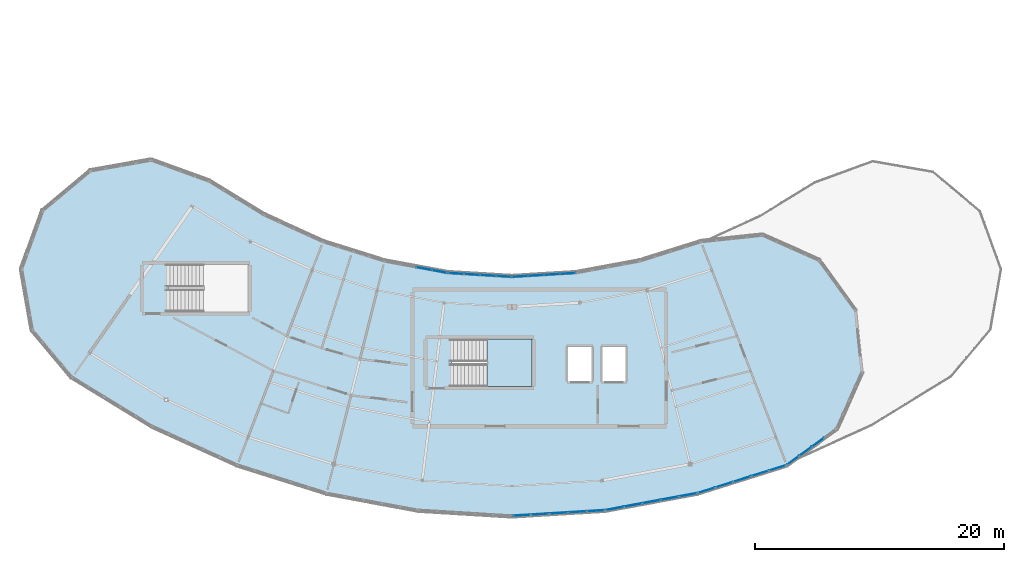
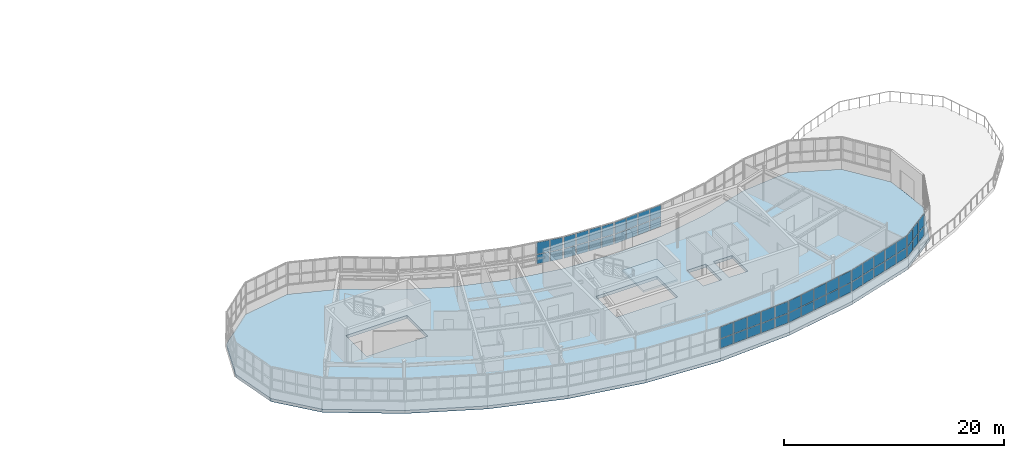
# One storey, part 38 of 65: 56 plates, 2 slabs, 8 elements without a shape of their own.
"""IFC4 building model written with IfcOpenShell, lengths in metres."""

from ifc_helpers import new_model, si_unit, direction, frame, origin, origin_2d, place, context, subcontext, project, spatial, polyline, rectangle, outline, extrude, material, layer, layer_set, type_object, element, aggregate, save


model = new_model("IFC4")

# Units and contexts
model_context = context("Model", 3, precision=1e-05, world=origin(), true_north=direction((0.0, 1.0)))
body_context = subcontext(model_context, "Body", "Model", "MODEL_VIEW")
ifc_project = project(units=[si_unit("LENGTHUNIT", "METRE"), si_unit("AREAUNIT", "SQUARE_METRE"), si_unit("VOLUMEUNIT", "CUBIC_METRE"), si_unit("PLANEANGLEUNIT", "RADIAN"), si_unit("MASSUNIT", "GRAM", prefix="KILO")], contexts=[model_context])

# Site, building, storey
site_placement = place(None, origin())
site = spatial("IfcSite", under=ifc_project, at=site_placement, CompositionType="ELEMENT")
building_placement = place(site_placement, origin())
building = spatial("IfcBuilding", under=site, at=building_placement, Name="Tarnwether General Hospital", CompositionType="ELEMENT")
storey_placement = place(building_placement, frame((0.0, 0.0, 22.199951171875)))
storey = spatial("IfcBuildingStorey", under=building, at=storey_placement, Name="L05", CompositionType="ELEMENT", Elevation=22.199951171875)

# Curtain wall, plates
ifc_material_1 = material(Name="Anodised aluminium", Category="aluminium")
ifc_layer_1 = layer(ifc_material_1, 0.159912109375)
ifc_layer_set_1 = layer_set([ifc_layer_1], Name="Anodised aluminium")
curtain_wall_type_1 = type_object("IfcCurtainWallType", Name="CW-10", PredefinedType="NOTDEFINED", material=ifc_layer_set_1)
curtain_wall_1_placement = place(storey_placement, origin())
curtain_wall_1 = element("IfcCurtainWall", 1, at=curtain_wall_1_placement, inside=storey, type_object=curtain_wall_type_1, Name="Curtain Wall CWG-L05-995_19-0223", PredefinedType="NOTDEFINED")
ifc_material_2 = material(Name="Double glazed low-E glass", Category="glass")
ifc_layer_2 = layer(ifc_material_2, 0.028076171875)
ifc_layer_set_2 = layer_set([ifc_layer_2], Name="Double glazed low-E glass")
plate_type_1 = type_object("IfcPlateType", Name="PT-CWP1", PredefinedType="CURTAIN_PANEL", material=ifc_layer_set_2)
plate_1_placement = place(storey_placement, frame((98.73876953125, 1.81201171875, 1.1201171875), z_axis=(0.0, 0.0, 1.0), x_axis=(-0.998135995608, -0.061028962567, 0.0)))
plate_1 = element("IfcPlate", 2, at=plate_1_placement, type_object=plate_type_1, Name="CW-10 panel 1.1", PredefinedType="CURTAIN_PANEL", context=body_context, shape_type="SweptSolid", body=[
    extrude(rectangle(XDim=1.399169921875, YDim=0.028076171875, at=origin_2d()), origin(), (0.0, 0.0, 1.0), 1.0244140625),
])
plate_2_placement = place(storey_placement, frame((98.73876953125, 1.81201171875, 2.214599609375), z_axis=(0.0, 0.0, 1.0), x_axis=(-0.998135995608, -0.061028962567, 0.0)))
plate_2 = element("IfcPlate", 3, at=plate_2_placement, type_object=plate_type_1, Name="CW-10 panel 1.2", PredefinedType="CURTAIN_PANEL", context=body_context, shape_type="SweptSolid", body=[
    extrude(rectangle(XDim=1.399169921875, YDim=0.028076171875, at=origin_2d()), origin(), (0.0, 0.0, 1.0), 1.275390625),
])
plate_3_placement = place(storey_placement, frame((97.2548828125, 1.72119140625, 1.1201171875), z_axis=(0.0, 0.0, 1.0), x_axis=(-0.998135995608, -0.061028962567, 0.0)))
plate_3 = element("IfcPlate", 4, at=plate_3_placement, type_object=plate_type_1, Name="CW-10 panel 2.1", PredefinedType="CURTAIN_PANEL", context=body_context, shape_type="SweptSolid", body=[
    extrude(rectangle(XDim=1.43408203125, YDim=0.028076171875, at=origin_2d()), origin(), (0.0, 0.0, 1.0), 1.0244140625),
])
plate_4_placement = place(storey_placement, frame((97.2548828125, 1.72119140625, 2.214599609375), z_axis=(0.0, 0.0, 1.0), x_axis=(-0.998135995608, -0.061028962567, 0.0)))
plate_4 = element("IfcPlate", 5, at=plate_4_placement, type_object=plate_type_1, Name="CW-10 panel 2.2", PredefinedType="CURTAIN_PANEL", context=body_context, shape_type="SweptSolid", body=[
    extrude(rectangle(XDim=1.43408203125, YDim=0.028076171875, at=origin_2d()), origin(), (0.0, 0.0, 1.0), 1.275390625),
])
plate_5_placement = place(storey_placement, frame((95.75341796875, 1.62939453125, 1.1201171875), z_axis=(0.0, 0.0, 1.0), x_axis=(-0.998135995608, -0.061028962567, 0.0)))
plate_5 = element("IfcPlate", 6, at=plate_5_placement, type_object=plate_type_1, Name="CW-10 panel 3.1", PredefinedType="CURTAIN_PANEL", context=body_context, shape_type="SweptSolid", body=[
    extrude(rectangle(XDim=1.43408203125, YDim=0.028076171875, at=origin_2d()), origin(), (0.0, 0.0, 1.0), 1.0244140625),
])
plate_6_placement = place(storey_placement, frame((95.75341796875, 1.62939453125, 2.214599609375), z_axis=(0.0, 0.0, 1.0), x_axis=(-0.998135995608, -0.061028962567, 0.0)))
plate_6 = element("IfcPlate", 7, at=plate_6_placement, type_object=plate_type_1, Name="CW-10 panel 3.2", PredefinedType="CURTAIN_PANEL", context=body_context, shape_type="SweptSolid", body=[
    extrude(rectangle(XDim=1.43408203125, YDim=0.028076171875, at=origin_2d()), origin(), (0.0, 0.0, 1.0), 1.275390625),
])
plate_7_placement = place(storey_placement, frame((94.252197265625, 1.53759765625, 1.1201171875), z_axis=(0.0, 0.0, 1.0), x_axis=(-0.998135995608, -0.061028962567, 0.0)))
plate_7 = element("IfcPlate", 8, at=plate_7_placement, type_object=plate_type_1, Name="CW-10 panel 4.1", PredefinedType="CURTAIN_PANEL", context=body_context, shape_type="SweptSolid", body=[
    extrude(rectangle(XDim=1.43408203125, YDim=0.028076171875, at=origin_2d()), origin(), (0.0, 0.0, 1.0), 1.0244140625),
])
plate_8_placement = place(storey_placement, frame((94.252197265625, 1.53759765625, 2.214599609375), z_axis=(0.0, 0.0, 1.0), x_axis=(-0.998135995608, -0.061028962567, 0.0)))
plate_8 = element("IfcPlate", 9, at=plate_8_placement, type_object=plate_type_1, Name="CW-10 panel 4.2", PredefinedType="CURTAIN_PANEL", context=body_context, shape_type="SweptSolid", body=[
    extrude(rectangle(XDim=1.43408203125, YDim=0.028076171875, at=origin_2d()), origin(), (0.0, 0.0, 1.0), 1.275390625),
])
plate_9_placement = place(storey_placement, frame((92.76806640625, 1.447021484375, 1.1201171875), z_axis=(0.0, 0.0, 1.0), x_axis=(-0.998135995608, -0.061028962567, 0.0)))
plate_9 = element("IfcPlate", 10, at=plate_9_placement, type_object=plate_type_1, Name="CW-10 panel 5.1", PredefinedType="CURTAIN_PANEL", context=body_context, shape_type="SweptSolid", body=[
    extrude(rectangle(XDim=1.399169921875, YDim=0.028076171875, at=origin_2d()), origin(), (0.0, 0.0, 1.0), 1.0244140625),
])
plate_10_placement = place(storey_placement, frame((92.76806640625, 1.447021484375, 2.214599609375), z_axis=(0.0, 0.0, 1.0), x_axis=(-0.998135995608, -0.061028962567, 0.0)))
plate_10 = element("IfcPlate", 11, at=plate_10_placement, type_object=plate_type_1, Name="CW-10 panel 5.2", PredefinedType="CURTAIN_PANEL", context=body_context, shape_type="SweptSolid", body=[
    extrude(rectangle(XDim=1.399169921875, YDim=0.028076171875, at=origin_2d()), origin(), (0.0, 0.0, 1.0), 1.275390625),
])
aggregate(curtain_wall_1, [plate_1, plate_2, plate_3, plate_4, plate_5, plate_6, plate_7, plate_8, plate_9, plate_10])

curtain_wall_2_placement = place(storey_placement, origin())
curtain_wall_2 = element("IfcCurtainWall", 12, at=curtain_wall_2_placement, inside=storey, type_object=curtain_wall_type_1, Name="Curtain Wall CWG-L05-1141_55-0225", PredefinedType="NOTDEFINED")
plate_11_placement = place(storey_placement, frame((113.338623046875, 5.2587890625, 1.1298828125), z_axis=(0.0, 0.0, 1.0), x_axis=(-0.953741284032, -0.300628613299, 0.0)))
plate_11 = element("IfcPlate", 13, at=plate_11_placement, type_object=plate_type_1, Name="CW-10 panel 1.1", PredefinedType="CURTAIN_PANEL", context=body_context, shape_type="SweptSolid", body=[
    extrude(rectangle(XDim=1.38427734375, YDim=0.028076171875, at=origin_2d()), origin(), (0.0, 0.0, 1.0), 1.009521484375),
])
plate_12_placement = place(storey_placement, frame((113.338623046875, 5.2587890625, 2.2197265625), z_axis=(0.0, 0.0, 1.0), x_axis=(-0.953741284032, -0.300628613299, 0.0)))
plate_12 = element("IfcPlate", 14, at=plate_12_placement, type_object=plate_type_1, Name="CW-10 panel 1.2", PredefinedType="CURTAIN_PANEL", context=body_context, shape_type="SweptSolid", body=[
    extrude(rectangle(XDim=1.38427734375, YDim=0.028076171875, at=origin_2d()), origin(), (0.0, 0.0, 1.0), 1.260498046875),
])
plate_13_placement = place(storey_placement, frame((111.923095703125, 4.812744140625, 1.1298828125), z_axis=(0.0, 0.0, 1.0), x_axis=(-0.953741284032, -0.300628613299, 0.0)))
plate_13 = element("IfcPlate", 15, at=plate_13_placement, type_object=plate_type_1, Name="CW-10 panel 2.1", PredefinedType="CURTAIN_PANEL", context=body_context, shape_type="SweptSolid", body=[
    extrude(rectangle(XDim=1.424072265625, YDim=0.028076171875, at=origin_2d()), origin(), (0.0, 0.0, 1.0), 1.009521484375),
])
plate_14_placement = place(storey_placement, frame((111.923095703125, 4.812744140625, 2.2197265625), z_axis=(0.0, 0.0, 1.0), x_axis=(-0.953741284032, -0.300628613299, 0.0)))
plate_14 = element("IfcPlate", 16, at=plate_14_placement, type_object=plate_type_1, Name="CW-10 panel 2.2", PredefinedType="CURTAIN_PANEL", context=body_context, shape_type="SweptSolid", body=[
    extrude(rectangle(XDim=1.424072265625, YDim=0.028076171875, at=origin_2d()), origin(), (0.0, 0.0, 1.0), 1.260498046875),
])
plate_15_placement = place(storey_placement, frame((110.488525390625, 4.360595703125, 1.1298828125), z_axis=(0.0, 0.0, 1.0), x_axis=(-0.953741284032, -0.300628613299, 0.0)))
plate_15 = element("IfcPlate", 17, at=plate_15_placement, type_object=plate_type_1, Name="CW-10 panel 3.1", PredefinedType="CURTAIN_PANEL", context=body_context, shape_type="SweptSolid", body=[
    extrude(rectangle(XDim=1.424072265625, YDim=0.028076171875, at=origin_2d()), origin(), (0.0, 0.0, 1.0), 1.009521484375),
])
plate_16_placement = place(storey_placement, frame((110.488525390625, 4.360595703125, 2.2197265625), z_axis=(0.0, 0.0, 1.0), x_axis=(-0.953741284032, -0.300628613299, 0.0)))
plate_16 = element("IfcPlate", 18, at=plate_16_placement, type_object=plate_type_1, Name="CW-10 panel 3.2", PredefinedType="CURTAIN_PANEL", context=body_context, shape_type="SweptSolid", body=[
    extrude(rectangle(XDim=1.424072265625, YDim=0.028076171875, at=origin_2d()), origin(), (0.0, 0.0, 1.0), 1.260498046875),
])
plate_17_placement = place(storey_placement, frame((109.053955078125, 3.908203125, 1.1298828125), z_axis=(0.0, 0.0, 1.0), x_axis=(-0.953741284032, -0.300628613299, 0.0)))
plate_17 = element("IfcPlate", 19, at=plate_17_placement, type_object=plate_type_1, Name="CW-10 panel 4.1", PredefinedType="CURTAIN_PANEL", context=body_context, shape_type="SweptSolid", body=[
    extrude(rectangle(XDim=1.424072265625, YDim=0.028076171875, at=origin_2d()), origin(), (0.0, 0.0, 1.0), 1.009521484375),
])
plate_18_placement = place(storey_placement, frame((109.053955078125, 3.908203125, 2.2197265625), z_axis=(0.0, 0.0, 1.0), x_axis=(-0.953741284032, -0.300628613299, 0.0)))
plate_18 = element("IfcPlate", 20, at=plate_18_placement, type_object=plate_type_1, Name="CW-10 panel 4.2", PredefinedType="CURTAIN_PANEL", context=body_context, shape_type="SweptSolid", body=[
    extrude(rectangle(XDim=1.424072265625, YDim=0.028076171875, at=origin_2d()), origin(), (0.0, 0.0, 1.0), 1.260498046875),
])
plate_19_placement = place(storey_placement, frame((107.638427734375, 3.462158203125, 1.1298828125), z_axis=(0.0, 0.0, 1.0), x_axis=(-0.953741284032, -0.300628613299, 0.0)))
plate_19 = element("IfcPlate", 21, at=plate_19_placement, type_object=plate_type_1, Name="CW-10 panel 5.1", PredefinedType="CURTAIN_PANEL", context=body_context, shape_type="SweptSolid", body=[
    extrude(rectangle(XDim=1.38427734375, YDim=0.028076171875, at=origin_2d()), origin(), (0.0, 0.0, 1.0), 1.009521484375),
])
plate_20_placement = place(storey_placement, frame((107.638427734375, 3.462158203125, 2.2197265625), z_axis=(0.0, 0.0, 1.0), x_axis=(-0.953741284032, -0.300628613299, 0.0)))
plate_20 = element("IfcPlate", 22, at=plate_20_placement, type_object=plate_type_1, Name="CW-10 panel 5.2", PredefinedType="CURTAIN_PANEL", context=body_context, shape_type="SweptSolid", body=[
    extrude(rectangle(XDim=1.38427734375, YDim=0.028076171875, at=origin_2d()), origin(), (0.0, 0.0, 1.0), 1.260498046875),
])
aggregate(curtain_wall_2, [plate_11, plate_12, plate_13, plate_14, plate_15, plate_16, plate_17, plate_18, plate_19, plate_20])

ifc_material_3 = material(Name="Anodised aluminium", Category="aluminium")
ifc_layer_3 = layer(ifc_material_3, 0.159912109375)
ifc_layer_set_3 = layer_set([ifc_layer_3], Name="Anodised aluminium")
curtain_wall_type_2 = type_object("IfcCurtainWallType", Name="CW-04", PredefinedType="NOTDEFINED", material=ifc_layer_set_3)
curtain_wall_3_placement = place(storey_placement, origin())
curtain_wall_3 = element("IfcCurtainWall", 23, at=curtain_wall_3_placement, inside=storey, type_object=curtain_wall_type_2, Name="Curtain Wall CWG-L05-1181_84-0226", PredefinedType="NOTDEFINED")
plate_21_placement = place(storey_placement, frame((116.588134765625, 7.316650390625, 1.110107421875), z_axis=(0.0, 0.0, 1.0), x_axis=(-0.809057896173, -0.587728951677, 0.0)))
plate_21 = element("IfcPlate", 24, at=plate_21_placement, type_object=plate_type_1, Name="CW-04 panel 2.1", PredefinedType="CURTAIN_PANEL", context=body_context, shape_type="SweptSolid", body=[
    extrude(rectangle(XDim=1.182373046875, YDim=0.028076171875, at=origin_2d()), origin(), (0.0, 0.0, 1.0), 1.03955078125),
])
plate_22_placement = place(storey_placement, frame((116.588134765625, 7.316650390625, 2.20947265625), z_axis=(0.0, 0.0, 1.0), x_axis=(-0.809057896173, -0.587728951677, 0.0)))
plate_22 = element("IfcPlate", 25, at=plate_22_placement, type_object=plate_type_1, Name="CW-04 panel 2.2", PredefinedType="CURTAIN_PANEL", context=body_context, shape_type="SweptSolid", body=[
    extrude(rectangle(XDim=1.182373046875, YDim=0.028076171875, at=origin_2d()), origin(), (0.0, 0.0, 1.0), 1.29052734375),
])
plate_23_placement = place(storey_placement, frame((115.582763671875, 6.58642578125, 1.110107421875), z_axis=(0.0, 0.0, 1.0), x_axis=(-0.809057896173, -0.587728951677, 0.0)))
plate_23 = element("IfcPlate", 26, at=plate_23_placement, type_object=plate_type_1, Name="CW-04 panel 3.1", PredefinedType="CURTAIN_PANEL", context=body_context, shape_type="SweptSolid", body=[
    extrude(rectangle(XDim=1.182373046875, YDim=0.028076171875, at=origin_2d()), origin(), (0.0, 0.0, 1.0), 1.03955078125),
])
plate_24_placement = place(storey_placement, frame((115.582763671875, 6.58642578125, 2.20947265625), z_axis=(0.0, 0.0, 1.0), x_axis=(-0.809057896173, -0.587728951677, 0.0)))
plate_24 = element("IfcPlate", 27, at=plate_24_placement, type_object=plate_type_1, Name="CW-04 panel 3.2", PredefinedType="CURTAIN_PANEL", context=body_context, shape_type="SweptSolid", body=[
    extrude(rectangle(XDim=1.182373046875, YDim=0.028076171875, at=origin_2d()), origin(), (0.0, 0.0, 1.0), 1.29052734375),
])
plate_25_placement = place(storey_placement, frame((114.58984375, 5.864990234375, 1.110107421875), z_axis=(0.0, 0.0, 1.0), x_axis=(-0.809057896173, -0.587728951677, 0.0)))
plate_25 = element("IfcPlate", 28, at=plate_25_placement, type_object=plate_type_1, Name="CW-04 panel 4.1", PredefinedType="CURTAIN_PANEL", context=body_context, shape_type="SweptSolid", body=[
    extrude(rectangle(XDim=1.152587890625, YDim=0.028076171875, at=origin_2d()), origin(), (0.0, 0.0, 1.0), 1.03955078125),
])
plate_26_placement = place(storey_placement, frame((114.58984375, 5.864990234375, 2.20947265625), z_axis=(0.0, 0.0, 1.0), x_axis=(-0.809057896173, -0.587728951677, 0.0)))
plate_26 = element("IfcPlate", 29, at=plate_26_placement, type_object=plate_type_1, Name="CW-04 panel 4.2", PredefinedType="CURTAIN_PANEL", context=body_context, shape_type="SweptSolid", body=[
    extrude(rectangle(XDim=1.152587890625, YDim=0.028076171875, at=origin_2d()), origin(), (0.0, 0.0, 1.0), 1.29052734375),
])
aggregate(curtain_wall_3, [plate_21, plate_22, plate_23, plate_24, plate_25, plate_26])

curtain_wall_4_placement = place(storey_placement, origin())
curtain_wall_4 = element("IfcCurtainWall", 30, at=curtain_wall_4_placement, inside=storey, type_object=curtain_wall_type_2, Name="Curtain Wall CWG-L05-920_206-0233", PredefinedType="NOTDEFINED")
plate_27_placement = place(storey_placement, frame((92.660888671875, 20.640380859375, 1.110107421875), z_axis=(0.0, 0.0, 1.0), x_axis=(0.998135119267, 0.06104329354, 0.0)))
plate_27 = element("IfcPlate", 31, at=plate_27_placement, type_object=plate_type_1, Name="CW-04 panel 1.1", PredefinedType="CURTAIN_PANEL", context=body_context, shape_type="SweptSolid", body=[
    extrude(rectangle(XDim=1.2041015625, YDim=0.028076171875, at=origin_2d()), origin(), (0.0, 0.0, 1.0), 1.03955078125),
])
plate_28_placement = place(storey_placement, frame((92.660888671875, 20.640380859375, 2.20947265625), z_axis=(0.0, 0.0, 1.0), x_axis=(0.998135119267, 0.06104329354, 0.0)))
plate_28 = element("IfcPlate", 32, at=plate_28_placement, type_object=plate_type_1, Name="CW-04 panel 1.2", PredefinedType="CURTAIN_PANEL", context=body_context, shape_type="SweptSolid", body=[
    extrude(rectangle(XDim=1.2041015625, YDim=0.028076171875, at=origin_2d()), origin(), (0.0, 0.0, 1.0), 1.29052734375),
])
plate_29_placement = place(storey_placement, frame((93.937744140625, 20.718505859375, 1.110107421875), z_axis=(0.0, 0.0, 1.0), x_axis=(0.998135119267, 0.06104329354, 0.0)))
plate_29 = element("IfcPlate", 33, at=plate_29_placement, type_object=plate_type_1, Name="CW-04 panel 2.1", PredefinedType="CURTAIN_PANEL", context=body_context, shape_type="SweptSolid", body=[
    extrude(rectangle(XDim=1.234130859375, YDim=0.028076171875, at=origin_2d()), origin(), (0.0, 0.0, 1.0), 1.03955078125),
])
plate_30_placement = place(storey_placement, frame((93.937744140625, 20.718505859375, 2.20947265625), z_axis=(0.0, 0.0, 1.0), x_axis=(0.998135119267, 0.06104329354, 0.0)))
plate_30 = element("IfcPlate", 34, at=plate_30_placement, type_object=plate_type_1, Name="CW-04 panel 2.2", PredefinedType="CURTAIN_PANEL", context=body_context, shape_type="SweptSolid", body=[
    extrude(rectangle(XDim=1.234130859375, YDim=0.028076171875, at=origin_2d()), origin(), (0.0, 0.0, 1.0), 1.29052734375),
])
plate_31_placement = place(storey_placement, frame((95.2294921875, 20.797607421875, 1.110107421875), z_axis=(0.0, 0.0, 1.0), x_axis=(0.998135119267, 0.06104329354, 0.0)))
plate_31 = element("IfcPlate", 35, at=plate_31_placement, type_object=plate_type_1, Name="CW-04 panel 3.1", PredefinedType="CURTAIN_PANEL", context=body_context, shape_type="SweptSolid", body=[
    extrude(rectangle(XDim=1.234130859375, YDim=0.028076171875, at=origin_2d()), origin(), (0.0, 0.0, 1.0), 1.03955078125),
])
plate_32_placement = place(storey_placement, frame((95.2294921875, 20.797607421875, 2.20947265625), z_axis=(0.0, 0.0, 1.0), x_axis=(0.998135119267, 0.06104329354, 0.0)))
plate_32 = element("IfcPlate", 36, at=plate_32_placement, type_object=plate_type_1, Name="CW-04 panel 3.2", PredefinedType="CURTAIN_PANEL", context=body_context, shape_type="SweptSolid", body=[
    extrude(rectangle(XDim=1.234130859375, YDim=0.028076171875, at=origin_2d()), origin(), (0.0, 0.0, 1.0), 1.29052734375),
])
plate_33_placement = place(storey_placement, frame((96.506103515625, 20.87548828125, 1.110107421875), z_axis=(0.0, 0.0, 1.0), x_axis=(0.998135119267, 0.06104329354, 0.0)))
plate_33 = element("IfcPlate", 37, at=plate_33_placement, type_object=plate_type_1, Name="CW-04 panel 4.1", PredefinedType="CURTAIN_PANEL", context=body_context, shape_type="SweptSolid", body=[
    extrude(rectangle(XDim=1.2041015625, YDim=0.028076171875, at=origin_2d()), origin(), (0.0, 0.0, 1.0), 1.03955078125),
])
plate_34_placement = place(storey_placement, frame((96.506103515625, 20.87548828125, 2.20947265625), z_axis=(0.0, 0.0, 1.0), x_axis=(0.998135119267, 0.06104329354, 0.0)))
plate_34 = element("IfcPlate", 38, at=plate_34_placement, type_object=plate_type_1, Name="CW-04 panel 4.2", PredefinedType="CURTAIN_PANEL", context=body_context, shape_type="SweptSolid", body=[
    extrude(rectangle(XDim=1.2041015625, YDim=0.028076171875, at=origin_2d()), origin(), (0.0, 0.0, 1.0), 1.29052734375),
])
aggregate(curtain_wall_4, [plate_27, plate_28, plate_29, plate_30, plate_31, plate_32, plate_33, plate_34])

curtain_wall_5_placement = place(storey_placement, origin())
curtain_wall_5 = element("IfcCurtainWall", 39, at=curtain_wall_5_placement, inside=storey, type_object=curtain_wall_type_2, Name="Curtain Wall CWG-L05-868_209-0234", PredefinedType="NOTDEFINED")
plate_35_placement = place(storey_placement, frame((87.496337890625, 20.87548828125, 1.1201171875), z_axis=(0.0, 0.0, 1.0), x_axis=(0.998135119267, -0.06104329354, 0.0)))
plate_35 = element("IfcPlate", 40, at=plate_35_placement, type_object=plate_type_1, Name="CW-04 panel 1.1", PredefinedType="CURTAIN_PANEL", context=body_context, shape_type="SweptSolid", body=[
    extrude(rectangle(XDim=1.189208984375, YDim=0.028076171875, at=origin_2d()), origin(), (0.0, 0.0, 1.0), 1.0244140625),
])
plate_36_placement = place(storey_placement, frame((87.496337890625, 20.87548828125, 2.214599609375), z_axis=(0.0, 0.0, 1.0), x_axis=(0.998135119267, -0.06104329354, 0.0)))
plate_36 = element("IfcPlate", 41, at=plate_36_placement, type_object=plate_type_1, Name="CW-04 panel 1.2", PredefinedType="CURTAIN_PANEL", context=body_context, shape_type="SweptSolid", body=[
    extrude(rectangle(XDim=1.189208984375, YDim=0.028076171875, at=origin_2d()), origin(), (0.0, 0.0, 1.0), 1.275390625),
])
plate_37_placement = place(storey_placement, frame((88.7705078125, 20.797607421875, 1.1201171875), z_axis=(0.0, 0.0, 1.0), x_axis=(0.998135119267, -0.06104329354, 0.0)))
plate_37 = element("IfcPlate", 42, at=plate_37_placement, type_object=plate_type_1, Name="CW-04 panel 2.1", PredefinedType="CURTAIN_PANEL", context=body_context, shape_type="SweptSolid", body=[
    extrude(rectangle(XDim=1.22412109375, YDim=0.028076171875, at=origin_2d()), origin(), (0.0, 0.0, 1.0), 1.0244140625),
])
plate_38_placement = place(storey_placement, frame((88.7705078125, 20.797607421875, 2.214599609375), z_axis=(0.0, 0.0, 1.0), x_axis=(0.998135119267, -0.06104329354, 0.0)))
plate_38 = element("IfcPlate", 43, at=plate_38_placement, type_object=plate_type_1, Name="CW-04 panel 2.2", PredefinedType="CURTAIN_PANEL", context=body_context, shape_type="SweptSolid", body=[
    extrude(rectangle(XDim=1.22412109375, YDim=0.028076171875, at=origin_2d()), origin(), (0.0, 0.0, 1.0), 1.275390625),
])
plate_39_placement = place(storey_placement, frame((90.062255859375, 20.718505859375, 1.1201171875), z_axis=(0.0, 0.0, 1.0), x_axis=(0.998135119267, -0.06104329354, 0.0)))
plate_39 = element("IfcPlate", 44, at=plate_39_placement, type_object=plate_type_1, Name="CW-04 panel 3.1", PredefinedType="CURTAIN_PANEL", context=body_context, shape_type="SweptSolid", body=[
    extrude(rectangle(XDim=1.22412109375, YDim=0.028076171875, at=origin_2d()), origin(), (0.0, 0.0, 1.0), 1.0244140625),
])
plate_40_placement = place(storey_placement, frame((90.062255859375, 20.718505859375, 2.214599609375), z_axis=(0.0, 0.0, 1.0), x_axis=(0.998135119267, -0.06104329354, 0.0)))
plate_40 = element("IfcPlate", 45, at=plate_40_placement, type_object=plate_type_1, Name="CW-04 panel 3.2", PredefinedType="CURTAIN_PANEL", context=body_context, shape_type="SweptSolid", body=[
    extrude(rectangle(XDim=1.22412109375, YDim=0.028076171875, at=origin_2d()), origin(), (0.0, 0.0, 1.0), 1.275390625),
])
plate_41_placement = place(storey_placement, frame((91.336669921875, 20.640625, 1.1201171875), z_axis=(0.0, 0.0, 1.0), x_axis=(0.998135119267, -0.06104329354, 0.0)))
plate_41 = element("IfcPlate", 46, at=plate_41_placement, type_object=plate_type_1, Name="CW-04 panel 4.1", PredefinedType="CURTAIN_PANEL", context=body_context, shape_type="SweptSolid", body=[
    extrude(rectangle(XDim=1.189208984375, YDim=0.028076171875, at=origin_2d()), origin(), (0.0, 0.0, 1.0), 1.0244140625),
])
plate_42_placement = place(storey_placement, frame((91.336669921875, 20.640625, 2.214599609375), z_axis=(0.0, 0.0, 1.0), x_axis=(0.998135119267, -0.06104329354, 0.0)))
plate_42 = element("IfcPlate", 47, at=plate_42_placement, type_object=plate_type_1, Name="CW-04 panel 4.2", PredefinedType="CURTAIN_PANEL", context=body_context, shape_type="SweptSolid", body=[
    extrude(rectangle(XDim=1.189208984375, YDim=0.028076171875, at=origin_2d()), origin(), (0.0, 0.0, 1.0), 1.275390625),
])
aggregate(curtain_wall_5, [plate_35, plate_36, plate_37, plate_38, plate_39, plate_40, plate_41, plate_42])

curtain_wall_6_placement = place(storey_placement, origin())
curtain_wall_6 = element("IfcCurtainWall", 48, at=curtain_wall_6_placement, inside=storey, type_object=curtain_wall_type_1, Name="Curtain Wall CWG-L05-1069_32-0224", PredefinedType="NOTDEFINED")
ifc_material_4 = material(Name="Double glazed low-E glass", Category="glass")
ifc_layer_4 = layer(ifc_material_4, 0.035888671875)
ifc_layer_set_4 = layer_set([ifc_layer_4], Name="Double glazed low-E glass")
plate_type_2 = type_object("IfcPlateType", Name="PT-CWP2", PredefinedType="CURTAIN_PANEL", material=ifc_layer_set_4)
plate_43_placement = place(storey_placement, frame((106.146484375, 3.08984375, 1.115234375), z_axis=(0.0, 0.0, 1.0), x_axis=(-0.983244953132, -0.182289226614, 0.0)))
plate_43 = element("IfcPlate", 49, at=plate_43_placement, type_object=plate_type_2, Name="CW-10 panel 1.1", PredefinedType="CURTAIN_PANEL", context=body_context, shape_type="SweptSolid", body=[
    extrude(rectangle(XDim=1.40673828125, YDim=0.035888671875, at=origin_2d()), origin(), (0.0, 0.0, 1.0), 1.031982421875),
])
plate_44_placement = place(storey_placement, frame((106.146484375, 3.08984375, 2.2119140625), z_axis=(0.0, 0.0, 1.0), x_axis=(-0.983244953132, -0.182289226614, 0.0)))
plate_44 = element("IfcPlate", 50, at=plate_44_placement, type_object=plate_type_2, Name="CW-10 panel 1.2", PredefinedType="CURTAIN_PANEL", context=body_context, shape_type="SweptSolid", body=[
    extrude(rectangle(XDim=1.40673828125, YDim=0.035888671875, at=origin_2d()), origin(), (0.0, 0.0, 1.0), 1.282958984375),
])
plate_45_placement = place(storey_placement, frame((104.68359375, 2.818603515625, 1.115234375), z_axis=(0.0, 0.0, 1.0), x_axis=(-0.983244953132, -0.182289226614, 0.0)))
plate_45 = element("IfcPlate", 51, at=plate_45_placement, type_object=plate_type_2, Name="CW-10 panel 2.1", PredefinedType="CURTAIN_PANEL", context=body_context, shape_type="SweptSolid", body=[
    extrude(rectangle(XDim=1.439208984375, YDim=0.035888671875, at=origin_2d()), origin(), (0.0, 0.0, 1.0), 1.031982421875),
])
plate_46_placement = place(storey_placement, frame((104.68359375, 2.818603515625, 2.2119140625), z_axis=(0.0, 0.0, 1.0), x_axis=(-0.983244953132, -0.182289226614, 0.0)))
plate_46 = element("IfcPlate", 52, at=plate_46_placement, type_object=plate_type_2, Name="CW-10 panel 2.2", PredefinedType="CURTAIN_PANEL", context=body_context, shape_type="SweptSolid", body=[
    extrude(rectangle(XDim=1.439208984375, YDim=0.035888671875, at=origin_2d()), origin(), (0.0, 0.0, 1.0), 1.282958984375),
])
plate_47_placement = place(storey_placement, frame((103.20458984375, 2.54443359375, 1.115234375), z_axis=(0.0, 0.0, 1.0), x_axis=(-0.983244953132, -0.182289226614, 0.0)))
plate_47 = element("IfcPlate", 53, at=plate_47_placement, type_object=plate_type_2, Name="CW-10 panel 3.1", PredefinedType="CURTAIN_PANEL", context=body_context, shape_type="SweptSolid", body=[
    extrude(rectangle(XDim=1.439208984375, YDim=0.035888671875, at=origin_2d()), origin(), (0.0, 0.0, 1.0), 1.031982421875),
])
plate_48_placement = place(storey_placement, frame((103.20458984375, 2.54443359375, 2.2119140625), z_axis=(0.0, 0.0, 1.0), x_axis=(-0.983244953132, -0.182289226614, 0.0)))
plate_48 = element("IfcPlate", 54, at=plate_48_placement, type_object=plate_type_2, Name="CW-10 panel 3.2", PredefinedType="CURTAIN_PANEL", context=body_context, shape_type="SweptSolid", body=[
    extrude(rectangle(XDim=1.439208984375, YDim=0.035888671875, at=origin_2d()), origin(), (0.0, 0.0, 1.0), 1.282958984375),
])
plate_49_placement = place(storey_placement, frame((101.7255859375, 2.270263671875, 1.115234375), z_axis=(0.0, 0.0, 1.0), x_axis=(-0.983244953132, -0.182289226614, 0.0)))
plate_49 = element("IfcPlate", 55, at=plate_49_placement, type_object=plate_type_2, Name="CW-10 panel 4.1", PredefinedType="CURTAIN_PANEL", context=body_context, shape_type="SweptSolid", body=[
    extrude(rectangle(XDim=1.439208984375, YDim=0.035888671875, at=origin_2d()), origin(), (0.0, 0.0, 1.0), 1.031982421875),
])
plate_50_placement = place(storey_placement, frame((101.7255859375, 2.270263671875, 2.2119140625), z_axis=(0.0, 0.0, 1.0), x_axis=(-0.983244953132, -0.182289226614, 0.0)))
plate_50 = element("IfcPlate", 56, at=plate_50_placement, type_object=plate_type_2, Name="CW-10 panel 4.2", PredefinedType="CURTAIN_PANEL", context=body_context, shape_type="SweptSolid", body=[
    extrude(rectangle(XDim=1.439208984375, YDim=0.035888671875, at=origin_2d()), origin(), (0.0, 0.0, 1.0), 1.282958984375),
])
plate_51_placement = place(storey_placement, frame((100.262451171875, 1.9990234375, 1.115234375), z_axis=(0.0, 0.0, 1.0), x_axis=(-0.983244953132, -0.182289226614, 0.0)))
plate_51 = element("IfcPlate", 57, at=plate_51_placement, type_object=plate_type_2, Name="CW-10 panel 5.1", PredefinedType="CURTAIN_PANEL", context=body_context, shape_type="SweptSolid", body=[
    extrude(rectangle(XDim=1.40673828125, YDim=0.035888671875, at=origin_2d()), origin(), (0.0, 0.0, 1.0), 1.031982421875),
])
plate_52_placement = place(storey_placement, frame((100.262451171875, 1.9990234375, 2.2119140625), z_axis=(0.0, 0.0, 1.0), x_axis=(-0.983244953132, -0.182289226614, 0.0)))
plate_52 = element("IfcPlate", 58, at=plate_52_placement, type_object=plate_type_2, Name="CW-10 panel 5.2", PredefinedType="CURTAIN_PANEL", context=body_context, shape_type="SweptSolid", body=[
    extrude(rectangle(XDim=1.40673828125, YDim=0.035888671875, at=origin_2d()), origin(), (0.0, 0.0, 1.0), 1.282958984375),
])
aggregate(curtain_wall_6, [plate_43, plate_44, plate_45, plate_46, plate_47, plate_48, plate_49, plate_50, plate_51, plate_52])

curtain_wall_7_placement = place(storey_placement, origin())
curtain_wall_7 = element("IfcCurtainWall", 59, at=curtain_wall_7_placement, inside=storey, type_object=curtain_wall_type_2, Name="Curtain Wall CWG-L05-817_219-0235", PredefinedType="NOTDEFINED")
plate_53_placement = place(storey_placement, frame((84.92431640625, 21.26953125, 1.115234375), z_axis=(0.0, 0.0, 1.0), x_axis=(0.983267910924, -0.182165351666, 0.0)))
plate_53 = element("IfcPlate", 60, at=plate_53_placement, type_object=plate_type_2, Name="CW-04 panel 3.1", PredefinedType="CURTAIN_PANEL", context=body_context, shape_type="SweptSolid", body=[
    extrude(rectangle(XDim=1.229248046875, YDim=0.035888671875, at=origin_2d()), origin(), (0.0, 0.0, 1.0), 1.031982421875),
])
plate_54_placement = place(storey_placement, frame((84.92431640625, 21.26953125, 2.2119140625), z_axis=(0.0, 0.0, 1.0), x_axis=(0.983267910924, -0.182165351666, 0.0)))
plate_54 = element("IfcPlate", 61, at=plate_54_placement, type_object=plate_type_2, Name="CW-04 panel 3.2", PredefinedType="CURTAIN_PANEL", context=body_context, shape_type="SweptSolid", body=[
    extrude(rectangle(XDim=1.229248046875, YDim=0.035888671875, at=origin_2d()), origin(), (0.0, 0.0, 1.0), 1.282958984375),
])
plate_55_placement = place(storey_placement, frame((86.1806640625, 21.036865234375, 1.115234375), z_axis=(0.0, 0.0, 1.0), x_axis=(0.983267910924, -0.182165351666, 0.0)))
plate_55 = element("IfcPlate", 62, at=plate_55_placement, type_object=plate_type_2, Name="CW-04 panel 4.1", PredefinedType="CURTAIN_PANEL", context=body_context, shape_type="SweptSolid", body=[
    extrude(rectangle(XDim=1.196533203125, YDim=0.035888671875, at=origin_2d()), origin(), (0.0, 0.0, 1.0), 1.031982421875),
])
plate_56_placement = place(storey_placement, frame((86.1806640625, 21.036865234375, 2.2119140625), z_axis=(0.0, 0.0, 1.0), x_axis=(0.983267910924, -0.182165351666, 0.0)))
plate_56 = element("IfcPlate", 63, at=plate_56_placement, type_object=plate_type_2, Name="CW-04 panel 4.2", PredefinedType="CURTAIN_PANEL", context=body_context, shape_type="SweptSolid", body=[
    extrude(rectangle(XDim=1.196533203125, YDim=0.035888671875, at=origin_2d()), origin(), (0.0, 0.0, 1.0), 1.282958984375),
])
aggregate(curtain_wall_7, [plate_53, plate_54, plate_55, plate_56])

# Slab
ifc_material_5 = material(Name="Concrete 40 MPa", Category="concrete")
ifc_layer_5 = layer(ifc_material_5, 0.340087890625)
ifc_layer_set_5 = layer_set([ifc_layer_5], Name="Concrete 40 MPa")
slab_type_1 = type_object("IfcSlabType", Name="SL-FL180", PredefinedType="FLOOR", material=ifc_layer_set_5)
slab_1_placement = place(storey_placement, frame((0.0, 0.0, -0.33984375)))
element("IfcSlab", 64, at=slab_1_placement, inside=storey, type_object=slab_type_1, Name="L05 South-East Neurology Ward Floor SL-L05-WSE", PredefinedType="FLOOR", context=body_context, shape_type="SweptSolid", body=[
    extrude(outline(polyline([(53.472900390625, 16.346923828125), (52.611083984375, 21.240966796875), (54.31005859375, 25.909912109375), (58.116943359375, 29.10498046875), (63.010986328125, 29.968017578125), (67.679931640625, 28.26806640625), (72.093994140625, 25.56298828125), (76.804931640625, 23.416015625), (81.742919921875, 21.85888671875), (86.8330078125, 20.916015625), (92.0, 20.60009765625), (97.1669921875, 20.916015625), (102.257080078125, 21.85888671875), (107.195068359375, 23.416015625), (112.136962890625, 23.93603515625), (116.677001953125, 21.9140625), (119.597900390625, 17.89404296875), (120.116943359375, 12.951904296875), (118.095947265625, 8.412109375), (114.074951171875, 5.490966796875), (106.902099609375, 3.22998046875), (99.507080078125, 1.85888671875), (92.0, 1.39990234375), (84.492919921875, 1.85888671875), (77.097900390625, 3.22998046875), (69.925048828125, 5.490966796875), (63.0810546875, 8.610107421875), (56.66796875, 12.5400390625), (53.472900390625, 16.346923828125)]), holes=[polyline([(96.469970703125, 15.030029296875), (96.469970703125, 12.169921875), (98.429931640625, 12.169921875), (98.429931640625, 15.030029296875), (96.469970703125, 15.030029296875)]), polyline([(99.219970703125, 15.030029296875), (99.219970703125, 12.169921875), (101.179931640625, 12.169921875), (101.179931640625, 15.030029296875), (99.219970703125, 15.030029296875)]), polyline([(87.179931640625, 15.60009765625), (87.179931640625, 11.800048828125), (93.60009765625, 11.800048828125), (93.60009765625, 15.60009765625), (87.179931640625, 15.60009765625)]), polyline([(64.3798828125, 21.60009765625), (64.3798828125, 17.800048828125), (70.800048828125, 17.800048828125), (70.800048828125, 21.60009765625), (64.3798828125, 21.60009765625)])]), origin(), (0.0, 0.0, 1.0), 0.33984375),
])

# Stair, slab
ifc_material_6 = material(Name="Concrete 40 MPa", Category="concrete")
stair_type = type_object("IfcStairType", Name="ST-DL39B", PredefinedType="HALF_TURN_STAIR", material=ifc_material_6)
stair_placement = place(storey_placement, origin())
stair = element("IfcStair", 65, at=stair_placement, inside=storey, type_object=stair_type, Name="L05 Exit Stair ST-02", PredefinedType="HALF_TURN_STAIR")
ifc_material_7 = material(Name="Concrete 40 MPa", Category="concrete")
ifc_layer_6 = layer(ifc_material_7, 0.199951171875)
ifc_layer_set_6 = layer_set([ifc_layer_6], Name="Concrete 40 MPa")
slab_type_2 = type_object("IfcSlabType", Name="SL-LD200", PredefinedType="LANDING", material=ifc_layer_set_6)
slab_2_placement = place(storey_placement, frame((0.0, 0.0, 1.75)))
slab_2 = element("IfcSlab", 66, at=slab_2_placement, type_object=slab_type_2, Name="ST-02 landing 1", PredefinedType="LANDING", context=body_context, shape_type="SweptSolid", body=[
    extrude(outline(polyline([(90.0, 11.800048828125), (93.60009765625, 11.800048828125), (93.60009765625, 15.60009765625), (90.0, 15.60009765625), (90.0, 11.800048828125)])), origin(), (0.0, 0.0, 1.0), 0.199951171875),
])
aggregate(stair, [slab_2])

save(model, "model.ifc")
